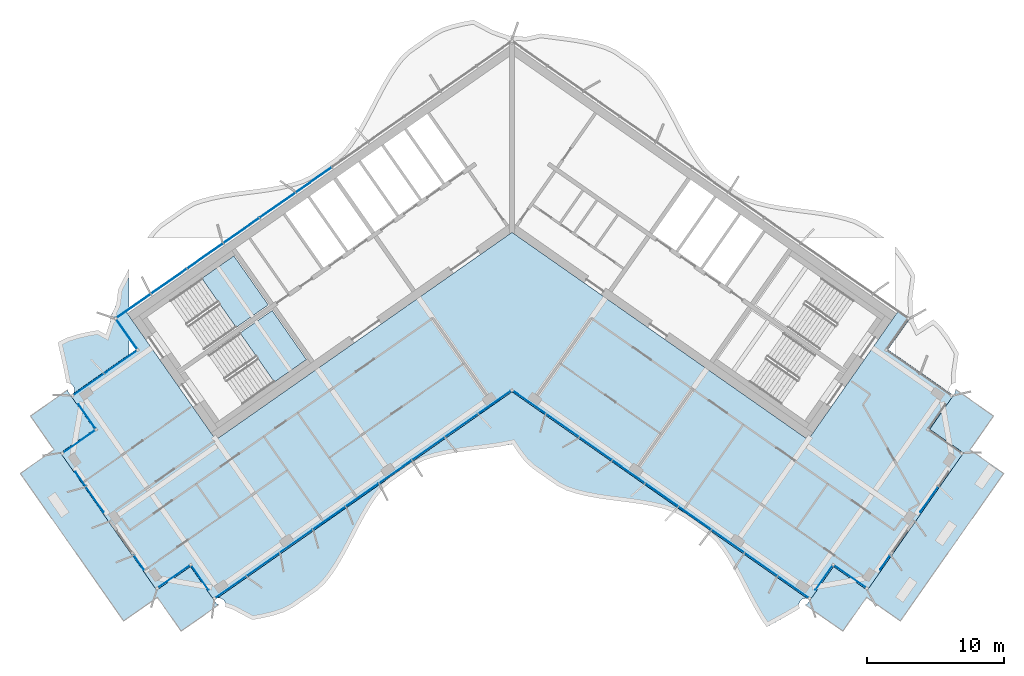
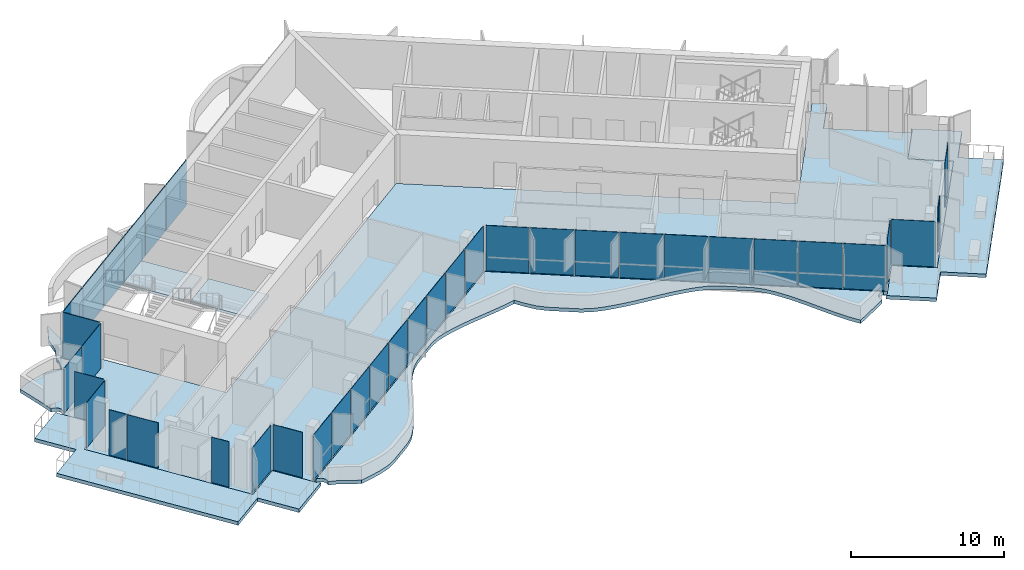
# One storey, part 9 of 21: 38 plates, 7 slabs, 6 elements without a shape of their own.
"""IFC4 building model written with IfcOpenShell, lengths in metres."""

from ifc_helpers import new_model, si_unit, direction, frame, origin, origin_2d, place, context, subcontext, project, spatial, polyline, rectangle, outline, extrude, material, layer, layer_set, type_object, element, aggregate, save


model = new_model("IFC4")

# Units and contexts
model_context = context("Model", 3, precision=1e-05, world=origin(), true_north=direction((0.0, 1.0)))
body_context = subcontext(model_context, "Body", "Model", "MODEL_VIEW")
ifc_project = project(units=[si_unit("LENGTHUNIT", "METRE"), si_unit("AREAUNIT", "SQUARE_METRE"), si_unit("VOLUMEUNIT", "CUBIC_METRE"), si_unit("PLANEANGLEUNIT", "RADIAN"), si_unit("MASSUNIT", "GRAM", prefix="KILO")], contexts=[model_context])

# Site, building, storey
site_placement = place(None, origin())
site = spatial("IfcSite", under=ifc_project, at=site_placement, CompositionType="ELEMENT")
building_placement = place(site_placement, origin())
building = spatial("IfcBuilding", under=site, at=building_placement, Name="Tel Ilan Convention Tower", CompositionType="ELEMENT")
storey_placement = place(building_placement, frame((0.0, 0.0, 225.39990234375)))
storey = spatial("IfcBuildingStorey", under=building, at=storey_placement, Name="L52", CompositionType="ELEMENT", Elevation=225.39990234375)

# Curtain wall, plates
ifc_material_1 = material(Name="Aluminium, bronze anodised", Category="aluminium")
curtain_wall_type_1 = type_object("IfcCurtainWallType", Name="CW2 STICK CURTAIN WALL, SPANDREL PANELS", PredefinedType="NOTDEFINED", material=ifc_material_1)
curtain_wall_1_placement = place(storey_placement, origin())
curtain_wall_1 = element("IfcCurtainWall", 1, at=curtain_wall_1_placement, inside=storey, type_object=curtain_wall_type_1, Name="Curtain wall CW2-41.03", PredefinedType="NOTDEFINED")
ifc_material_2 = material(Name="Aluminium composite panel, bronze anodised", Category="aluminium")
ifc_layer_1 = layer(ifc_material_2, 0.06005859375)
ifc_layer_set_1 = layer_set([ifc_layer_1], Name="CW SPANDREL PANEL 60")
plate_type_1 = type_object("IfcPlateType", Name="CW SPANDREL PANEL 60", PredefinedType="CURTAIN_PANEL", material=ifc_layer_set_1)
plate_1_placement = place(storey_placement, frame((-14.422119140625, 2.59765625, 0.0), z_axis=(0.0, 0.0, 1.0), x_axis=(-0.819152044289, -0.573576436351, 0.0)))
plate_1 = element("IfcPlate", 2, at=plate_1_placement, type_object=plate_type_1, Name="Spandrel panel", PredefinedType="CURTAIN_PANEL", context=body_context, shape_type="SweptSolid", body=[
    extrude(rectangle(XDim=3.15380859375, YDim=0.06005859375, at=origin_2d()), origin(), (0.0, 0.0, 1.0), 3.6201171875),
])
plate_2_placement = place(storey_placement, frame((-17.0546875, 0.754150390625, 0.0), z_axis=(0.0, 0.0, 1.0), x_axis=(-0.819152044289, -0.573576436351, 0.0)))
plate_2 = element("IfcPlate", 3, at=plate_2_placement, type_object=plate_type_1, Name="Spandrel panel", PredefinedType="CURTAIN_PANEL", context=body_context, shape_type="SweptSolid", body=[
    extrude(rectangle(XDim=3.15380859375, YDim=0.06005859375, at=origin_2d()), origin(), (0.0, 0.0, 1.0), 3.6201171875),
])
plate_3_placement = place(storey_placement, frame((-19.687255859375, -1.089111328125, 0.0), z_axis=(0.0, 0.0, 1.0), x_axis=(-0.819152044289, -0.573576436351, 0.0)))
plate_3 = element("IfcPlate", 4, at=plate_3_placement, type_object=plate_type_1, Name="Spandrel panel", PredefinedType="CURTAIN_PANEL", context=body_context, shape_type="SweptSolid", body=[
    extrude(rectangle(XDim=3.15380859375, YDim=0.06005859375, at=origin_2d()), origin(), (0.0, 0.0, 1.0), 3.6201171875),
])
plate_4_placement = place(storey_placement, frame((-22.31982421875, -2.9326171875, 0.0), z_axis=(0.0, 0.0, 1.0), x_axis=(-0.819152044289, -0.573576436351, 0.0)))
plate_4 = element("IfcPlate", 5, at=plate_4_placement, type_object=plate_type_1, Name="Spandrel panel", PredefinedType="CURTAIN_PANEL", context=body_context, shape_type="SweptSolid", body=[
    extrude(rectangle(XDim=3.15380859375, YDim=0.06005859375, at=origin_2d()), origin(), (0.0, 0.0, 1.0), 3.6201171875),
])
plate_5_placement = place(storey_placement, frame((-24.95263671875, -4.77587890625, 0.0), z_axis=(0.0, 0.0, 1.0), x_axis=(-0.819152044289, -0.573576436351, 0.0)))
plate_5 = element("IfcPlate", 6, at=plate_5_placement, type_object=plate_type_1, Name="Spandrel panel", PredefinedType="CURTAIN_PANEL", context=body_context, shape_type="SweptSolid", body=[
    extrude(rectangle(XDim=3.15380859375, YDim=0.06005859375, at=origin_2d()), origin(), (0.0, 0.0, 1.0), 3.6201171875),
])
plate_6_placement = place(storey_placement, frame((-27.5400390625, -6.587646484375, 0.0), z_axis=(0.0, 0.0, 1.0), x_axis=(-0.819152044289, -0.573576436351, 0.0)))
plate_6 = element("IfcPlate", 7, at=plate_6_placement, type_object=plate_type_1, Name="Spandrel panel", PredefinedType="CURTAIN_PANEL", context=body_context, shape_type="SweptSolid", body=[
    extrude(rectangle(XDim=3.0439453125, YDim=0.06005859375, at=origin_2d()), origin(), (0.0, 0.0, 1.0), 3.6201171875),
])
plate_7_placement = place(storey_placement, frame((-28.033935546875, -8.60546875, 0.0), z_axis=(0.0, 0.0, 1.0), x_axis=(0.573576436351, -0.819152044289, 0.0)))
plate_7 = element("IfcPlate", 8, at=plate_7_placement, type_object=plate_type_1, Name="Spandrel panel", PredefinedType="CURTAIN_PANEL", context=body_context, shape_type="SweptSolid", body=[
    extrude(rectangle(XDim=2.658935546875, YDim=0.06005859375, at=origin_2d()), origin(), (0.0, 0.0, 1.0), 3.6201171875),
])
aggregate(curtain_wall_1, [plate_1, plate_2, plate_3, plate_4, plate_5, plate_6, plate_7])

# Curtain wall, plate
ifc_material_3 = material(Name="Aluminium, bronze anodised", Category="aluminium")
curtain_wall_type_2 = type_object("IfcCurtainWallType", Name="CW5 STICK CURTAIN WALL, UPPER OFFICE LOW-IRON TINTED GLASS", PredefinedType="NOTDEFINED", material=ifc_material_3)
curtain_wall_2_placement = place(storey_placement, origin())
curtain_wall_2 = element("IfcCurtainWall", 9, at=curtain_wall_2_placement, inside=storey, type_object=curtain_wall_type_2, Name="Curtain wall CW5-41.02", PredefinedType="NOTDEFINED")
ifc_material_4 = material(Name="Glass, low-iron bronze tinted, two-ply", Category="glass")
ifc_layer_2 = layer(ifc_material_4, 0.031982421875)
ifc_layer_set_2 = layer_set([ifc_layer_2], Name="CW UPPER GLASS PANEL 32")
plate_type_2 = type_object("IfcPlateType", Name="CW UPPER GLASS PANEL 32", PredefinedType="CURTAIN_PANEL", material=ifc_layer_set_2)
plate_8_placement = place(storey_placement, frame((30.3486328125, -20.642333984375, 0.0), z_axis=(0.0, 0.0, 1.0), x_axis=(0.573576436351, 0.819152044289, 0.0)))
plate_8 = element("IfcPlate", 10, at=plate_8_placement, type_object=plate_type_2, Name="Glass panel", PredefinedType="CURTAIN_PANEL", context=body_context, shape_type="SweptSolid", body=[
    extrude(rectangle(XDim=2.243896484375, YDim=0.028076171875, at=origin_2d()), origin(), (0.0, 0.0, 1.0), 3.6201171875),
])
aggregate(curtain_wall_2, [plate_8])

# Curtain wall, plates
curtain_wall_3_placement = place(storey_placement, origin())
curtain_wall_3 = element("IfcCurtainWall", 11, at=curtain_wall_3_placement, inside=storey, type_object=curtain_wall_type_2, Name="Curtain wall CW5-41.04", PredefinedType="NOTDEFINED")
plate_9_placement = place(storey_placement, frame((-28.471435546875, -10.657958984375, 0.0), z_axis=(0.0, 0.0, 1.0), x_axis=(-0.819152044289, -0.573576436351, 0.0)))
plate_9 = element("IfcPlate", 12, at=plate_9_placement, type_object=plate_type_2, Name="Glass panel", PredefinedType="CURTAIN_PANEL", context=body_context, shape_type="SweptSolid", body=[
    extrude(rectangle(XDim=2.868896484375, YDim=0.028076171875, at=origin_2d()), origin(), (0.0, 0.0, 1.0), 3.6201171875),
])
plate_10_placement = place(storey_placement, frame((-30.8203125, -12.302734375, 0.0), z_axis=(0.0, 0.0, 1.0), x_axis=(-0.819152044289, -0.573576436351, 0.0)))
plate_10 = element("IfcPlate", 13, at=plate_10_placement, type_object=plate_type_2, Name="Glass panel", PredefinedType="CURTAIN_PANEL", context=body_context, shape_type="SweptSolid", body=[
    extrude(rectangle(XDim=2.74609375, YDim=0.028076171875, at=origin_2d()), origin(), (0.0, 0.0, 1.0), 3.6201171875),
])
plate_11_placement = place(storey_placement, frame((-30.91064453125, -14.609130859375, 0.0), z_axis=(0.0, 0.0, 1.0), x_axis=(0.573576436351, -0.819152044289, 0.0)))
plate_11 = element("IfcPlate", 14, at=plate_11_placement, type_object=plate_type_2, Name="Glass panel", PredefinedType="CURTAIN_PANEL", context=body_context, shape_type="SweptSolid", body=[
    extrude(rectangle(XDim=2.123046875, YDim=0.028076171875, at=origin_2d()), origin(), (0.0, 0.0, 1.0), 3.6201171875),
])
plate_12_placement = place(storey_placement, frame((-31.504150390625, -16.44384765625, 0.0), z_axis=(0.0, 0.0, 1.0), x_axis=(-0.819152044289, -0.573576436351, 0.0)))
plate_12 = element("IfcPlate", 15, at=plate_12_placement, type_object=plate_type_2, Name="Glass panel", PredefinedType="CURTAIN_PANEL", context=body_context, shape_type="SweptSolid", body=[
    extrude(rectangle(XDim=2.875, YDim=0.028076171875, at=origin_2d()), origin(), (0.0, 0.0, 1.0), 3.6201171875),
])
plate_13_placement = place(storey_placement, frame((-31.38330078125, -19.16455078125, 0.0), z_axis=(0.0, 0.0, 1.0), x_axis=(0.573576436351, -0.819152044289, 0.0)))
plate_13 = element("IfcPlate", 16, at=plate_13_placement, type_object=plate_type_2, Name="Glass panel", PredefinedType="CURTAIN_PANEL", context=body_context, shape_type="SweptSolid", body=[
    extrude(rectangle(XDim=1.243896484375, YDim=0.028076171875, at=origin_2d()), origin(), (0.0, 0.0, 1.0), 3.6201171875),
])
plate_14_placement = place(storey_placement, frame((-30.3486328125, -20.642333984375, 0.0), z_axis=(0.0, 0.0, 1.0), x_axis=(0.573576436351, -0.819152044289, 0.0)))
plate_14 = element("IfcPlate", 17, at=plate_14_placement, type_object=plate_type_2, Name="Glass panel", PredefinedType="CURTAIN_PANEL", context=body_context, shape_type="SweptSolid", body=[
    extrude(rectangle(XDim=2.243896484375, YDim=0.028076171875, at=origin_2d()), origin(), (0.0, 0.0, 1.0), 3.6201171875),
])
aggregate(curtain_wall_3, [plate_9, plate_10, plate_11, plate_12, plate_13, plate_14])

curtain_wall_4_placement = place(storey_placement, origin())
curtain_wall_4 = element("IfcCurtainWall", 18, at=curtain_wall_4_placement, inside=storey, type_object=curtain_wall_type_2, Name="Curtain wall CW5-41.06", PredefinedType="NOTDEFINED")
plate_15_placement = place(storey_placement, frame((-27.136474609375, -25.2294921875, 0.0), z_axis=(0.0, 0.0, 1.0), x_axis=(0.573576436351, -0.819152044289, 0.0)))
plate_15 = element("IfcPlate", 19, at=plate_15_placement, type_object=plate_type_2, Name="Glass panel", PredefinedType="CURTAIN_PANEL", context=body_context, shape_type="SweptSolid", body=[
    extrude(rectangle(XDim=1.243896484375, YDim=0.028076171875, at=origin_2d()), origin(), (0.0, 0.0, 1.0), 3.6201171875),
])
plate_16_placement = place(storey_placement, frame((-24.621337890625, -26.273681640625, 0.0), z_axis=(0.0, 0.0, 1.0), x_axis=(0.819152044289, 0.573576436351, 0.0)))
plate_16 = element("IfcPlate", 20, at=plate_16_placement, type_object=plate_type_2, Name="Glass panel", PredefinedType="CURTAIN_PANEL", context=body_context, shape_type="SweptSolid", body=[
    extrude(rectangle(XDim=2.875, YDim=0.028076171875, at=origin_2d()), origin(), (0.0, 0.0, 1.0), 3.6201171875),
])
plate_17_placement = place(storey_placement, frame((-22.694091796875, -26.343505859375, 0.0), z_axis=(0.0, 0.0, 1.0), x_axis=(0.573576436351, -0.819152044289, 0.0)))
plate_17 = element("IfcPlate", 21, at=plate_17_placement, type_object=plate_type_2, Name="Glass panel", PredefinedType="CURTAIN_PANEL", context=body_context, shape_type="SweptSolid", body=[
    extrude(rectangle(XDim=2.123046875, YDim=0.028076171875, at=origin_2d()), origin(), (0.0, 0.0, 1.0), 3.6201171875),
])
plate_18_placement = place(storey_placement, frame((-20.47998046875, -27.036376953125, 0.0), z_axis=(0.0, 0.0, 1.0), x_axis=(0.819152044289, 0.573576436351, 0.0)))
plate_18 = element("IfcPlate", 22, at=plate_18_placement, type_object=plate_type_2, Name="Glass panel", PredefinedType="CURTAIN_PANEL", context=body_context, shape_type="SweptSolid", body=[
    extrude(rectangle(XDim=2.78466796875, YDim=0.028076171875, at=origin_2d()), origin(), (0.0, 0.0, 1.0), 3.6201171875),
])
plate_19_placement = place(storey_placement, frame((-18.111328125, -25.377685546875, 0.0), z_axis=(0.0, 0.0, 1.0), x_axis=(0.819152044289, 0.573576436351, 0.0)))
plate_19 = element("IfcPlate", 23, at=plate_19_placement, type_object=plate_type_2, Name="Glass panel", PredefinedType="CURTAIN_PANEL", context=body_context, shape_type="SweptSolid", body=[
    extrude(rectangle(XDim=2.878662109375, YDim=0.028076171875, at=origin_2d()), origin(), (0.0, 0.0, 1.0), 3.6201171875),
])
plate_20_placement = place(storey_placement, frame((-15.7041015625, -23.692138671875, 0.0), z_axis=(0.0, 0.0, 1.0), x_axis=(0.819152044289, 0.573576436351, 0.0)))
plate_20 = element("IfcPlate", 24, at=plate_20_placement, type_object=plate_type_2, Name="Glass panel", PredefinedType="CURTAIN_PANEL", context=body_context, shape_type="SweptSolid", body=[
    extrude(rectangle(XDim=2.878662109375, YDim=0.028076171875, at=origin_2d()), origin(), (0.0, 0.0, 1.0), 3.6201171875),
])
plate_21_placement = place(storey_placement, frame((-13.296875, -22.006591796875, 0.0), z_axis=(0.0, 0.0, 1.0), x_axis=(0.819152044289, 0.573576436351, 0.0)))
plate_21 = element("IfcPlate", 25, at=plate_21_placement, type_object=plate_type_2, Name="Glass panel", PredefinedType="CURTAIN_PANEL", context=body_context, shape_type="SweptSolid", body=[
    extrude(rectangle(XDim=2.878662109375, YDim=0.028076171875, at=origin_2d()), origin(), (0.0, 0.0, 1.0), 3.6201171875),
])
plate_22_placement = place(storey_placement, frame((-10.8896484375, -20.321044921875, 0.0), z_axis=(0.0, 0.0, 1.0), x_axis=(0.819152044289, 0.573576436351, 0.0)))
plate_22 = element("IfcPlate", 26, at=plate_22_placement, type_object=plate_type_2, Name="Glass panel", PredefinedType="CURTAIN_PANEL", context=body_context, shape_type="SweptSolid", body=[
    extrude(rectangle(XDim=2.878662109375, YDim=0.028076171875, at=origin_2d()), origin(), (0.0, 0.0, 1.0), 3.6201171875),
])
plate_23_placement = place(storey_placement, frame((-8.482666015625, -18.635498046875, 0.0), z_axis=(0.0, 0.0, 1.0), x_axis=(0.819152044289, 0.573576436351, 0.0)))
plate_23 = element("IfcPlate", 27, at=plate_23_placement, type_object=plate_type_2, Name="Glass panel", PredefinedType="CURTAIN_PANEL", context=body_context, shape_type="SweptSolid", body=[
    extrude(rectangle(XDim=2.878662109375, YDim=0.028076171875, at=origin_2d()), origin(), (0.0, 0.0, 1.0), 3.6201171875),
])
plate_24_placement = place(storey_placement, frame((-6.075439453125, -16.949951171875, 0.0), z_axis=(0.0, 0.0, 1.0), x_axis=(0.819152044289, 0.573576436351, 0.0)))
plate_24 = element("IfcPlate", 28, at=plate_24_placement, type_object=plate_type_2, Name="Glass panel", PredefinedType="CURTAIN_PANEL", context=body_context, shape_type="SweptSolid", body=[
    extrude(rectangle(XDim=2.878662109375, YDim=0.028076171875, at=origin_2d()), origin(), (0.0, 0.0, 1.0), 3.6201171875),
])
plate_25_placement = place(storey_placement, frame((-3.668212890625, -15.264404296875, 0.0), z_axis=(0.0, 0.0, 1.0), x_axis=(0.819152044289, 0.573576436351, 0.0)))
plate_25 = element("IfcPlate", 29, at=plate_25_placement, type_object=plate_type_2, Name="Glass panel", PredefinedType="CURTAIN_PANEL", context=body_context, shape_type="SweptSolid", body=[
    extrude(rectangle(XDim=2.878662109375, YDim=0.028076171875, at=origin_2d()), origin(), (0.0, 0.0, 1.0), 3.6201171875),
])
plate_26_placement = place(storey_placement, frame((-1.261474609375, -13.579345703125, 0.0), z_axis=(0.0, 0.0, 1.0), x_axis=(0.819152044289, 0.573576436351, 0.0)))
plate_26 = element("IfcPlate", 30, at=plate_26_placement, type_object=plate_type_2, Name="Glass panel", PredefinedType="CURTAIN_PANEL", context=body_context, shape_type="SweptSolid", body=[
    extrude(rectangle(XDim=2.877685546875, YDim=0.028076171875, at=origin_2d()), origin(), (0.0, 0.0, 1.0), 3.6201171875),
])
plate_27_placement = place(storey_placement, frame((1.27294921875, -13.58740234375, 0.0), z_axis=(0.0, 0.0, 1.0), x_axis=(0.819152044289, -0.573576436351, 0.0)))
plate_27 = element("IfcPlate", 31, at=plate_27_placement, type_object=plate_type_2, Name="Glass panel", PredefinedType="CURTAIN_PANEL", context=body_context, shape_type="SweptSolid", body=[
    extrude(rectangle(XDim=2.849609375, YDim=0.028076171875, at=origin_2d()), origin(), (0.0, 0.0, 1.0), 3.6201171875),
])
plate_28_placement = place(storey_placement, frame((3.668212890625, -15.264404296875, 0.0), z_axis=(0.0, 0.0, 1.0), x_axis=(0.819152044289, -0.573576436351, 0.0)))
plate_28 = element("IfcPlate", 32, at=plate_28_placement, type_object=plate_type_2, Name="Glass panel", PredefinedType="CURTAIN_PANEL", context=body_context, shape_type="SweptSolid", body=[
    extrude(rectangle(XDim=2.878662109375, YDim=0.028076171875, at=origin_2d()), origin(), (0.0, 0.0, 1.0), 3.6201171875),
])
plate_29_placement = place(storey_placement, frame((6.075439453125, -16.949951171875, 0.0), z_axis=(0.0, 0.0, 1.0), x_axis=(0.819152044289, -0.573576436351, 0.0)))
plate_29 = element("IfcPlate", 33, at=plate_29_placement, type_object=plate_type_2, Name="Glass panel", PredefinedType="CURTAIN_PANEL", context=body_context, shape_type="SweptSolid", body=[
    extrude(rectangle(XDim=2.878662109375, YDim=0.028076171875, at=origin_2d()), origin(), (0.0, 0.0, 1.0), 3.6201171875),
])
plate_30_placement = place(storey_placement, frame((8.482666015625, -18.635498046875, 0.0), z_axis=(0.0, 0.0, 1.0), x_axis=(0.819152044289, -0.573576436351, 0.0)))
plate_30 = element("IfcPlate", 34, at=plate_30_placement, type_object=plate_type_2, Name="Glass panel", PredefinedType="CURTAIN_PANEL", context=body_context, shape_type="SweptSolid", body=[
    extrude(rectangle(XDim=2.878662109375, YDim=0.028076171875, at=origin_2d()), origin(), (0.0, 0.0, 1.0), 3.6201171875),
])
plate_31_placement = place(storey_placement, frame((10.8896484375, -20.321044921875, 0.0), z_axis=(0.0, 0.0, 1.0), x_axis=(0.819152044289, -0.573576436351, 0.0)))
plate_31 = element("IfcPlate", 35, at=plate_31_placement, type_object=plate_type_2, Name="Glass panel", PredefinedType="CURTAIN_PANEL", context=body_context, shape_type="SweptSolid", body=[
    extrude(rectangle(XDim=2.878662109375, YDim=0.028076171875, at=origin_2d()), origin(), (0.0, 0.0, 1.0), 3.6201171875),
])
plate_32_placement = place(storey_placement, frame((13.296875, -22.006591796875, 0.0), z_axis=(0.0, 0.0, 1.0), x_axis=(0.819152044289, -0.573576436351, 0.0)))
plate_32 = element("IfcPlate", 36, at=plate_32_placement, type_object=plate_type_2, Name="Glass panel", PredefinedType="CURTAIN_PANEL", context=body_context, shape_type="SweptSolid", body=[
    extrude(rectangle(XDim=2.878662109375, YDim=0.028076171875, at=origin_2d()), origin(), (0.0, 0.0, 1.0), 3.6201171875),
])
plate_33_placement = place(storey_placement, frame((15.7041015625, -23.692138671875, 0.0), z_axis=(0.0, 0.0, 1.0), x_axis=(0.819152044289, -0.573576436351, 0.0)))
plate_33 = element("IfcPlate", 37, at=plate_33_placement, type_object=plate_type_2, Name="Glass panel", PredefinedType="CURTAIN_PANEL", context=body_context, shape_type="SweptSolid", body=[
    extrude(rectangle(XDim=2.878662109375, YDim=0.028076171875, at=origin_2d()), origin(), (0.0, 0.0, 1.0), 3.6201171875),
])
plate_34_placement = place(storey_placement, frame((18.111328125, -25.377685546875, 0.0), z_axis=(0.0, 0.0, 1.0), x_axis=(0.819152044289, -0.573576436351, 0.0)))
plate_34 = element("IfcPlate", 38, at=plate_34_placement, type_object=plate_type_2, Name="Glass panel", PredefinedType="CURTAIN_PANEL", context=body_context, shape_type="SweptSolid", body=[
    extrude(rectangle(XDim=2.878662109375, YDim=0.028076171875, at=origin_2d()), origin(), (0.0, 0.0, 1.0), 3.6201171875),
])
plate_35_placement = place(storey_placement, frame((20.47998046875, -27.036376953125, 0.0), z_axis=(0.0, 0.0, 1.0), x_axis=(0.819152044289, -0.573576436351, 0.0)))
plate_35 = element("IfcPlate", 39, at=plate_35_placement, type_object=plate_type_2, Name="Glass panel", PredefinedType="CURTAIN_PANEL", context=body_context, shape_type="SweptSolid", body=[
    extrude(rectangle(XDim=2.78466796875, YDim=0.028076171875, at=origin_2d()), origin(), (0.0, 0.0, 1.0), 3.6201171875),
])
plate_36_placement = place(storey_placement, frame((22.694091796875, -26.343505859375, 0.0), z_axis=(0.0, 0.0, 1.0), x_axis=(0.573576436351, 0.819152044289, 0.0)))
plate_36 = element("IfcPlate", 40, at=plate_36_placement, type_object=plate_type_2, Name="Glass panel", PredefinedType="CURTAIN_PANEL", context=body_context, shape_type="SweptSolid", body=[
    extrude(rectangle(XDim=2.123046875, YDim=0.028076171875, at=origin_2d()), origin(), (0.0, 0.0, 1.0), 3.6201171875),
])
plate_37_placement = place(storey_placement, frame((24.621337890625, -26.273681640625, 0.0), z_axis=(0.0, 0.0, 1.0), x_axis=(0.819152044289, -0.573576436351, 0.0)))
plate_37 = element("IfcPlate", 41, at=plate_37_placement, type_object=plate_type_2, Name="Glass panel", PredefinedType="CURTAIN_PANEL", context=body_context, shape_type="SweptSolid", body=[
    extrude(rectangle(XDim=2.875, YDim=0.028076171875, at=origin_2d()), origin(), (0.0, 0.0, 1.0), 3.6201171875),
])
plate_38_placement = place(storey_placement, frame((27.136474609375, -25.2294921875, 0.0), z_axis=(0.0, 0.0, 1.0), x_axis=(0.573576436351, 0.819152044289, 0.0)))
plate_38 = element("IfcPlate", 42, at=plate_38_placement, type_object=plate_type_2, Name="Glass panel", PredefinedType="CURTAIN_PANEL", context=body_context, shape_type="SweptSolid", body=[
    extrude(rectangle(XDim=1.243896484375, YDim=0.028076171875, at=origin_2d()), origin(), (0.0, 0.0, 1.0), 3.6201171875),
])
aggregate(curtain_wall_4, [plate_15, plate_16, plate_17, plate_18, plate_19, plate_20, plate_21, plate_22, plate_23, plate_24, plate_25, plate_26, plate_27, plate_28, plate_29, plate_30, plate_31, plate_32, plate_33, plate_34, plate_35, plate_36, plate_37, plate_38])

# Stair, slab
ifc_material_5 = material(Name="Concrete C40/50", Category="concrete")
stair_type = type_object("IfcStairType", Name="Pressurised Exit Stair 22 risers 177 mm", PredefinedType="HALF_TURN_STAIR", material=ifc_material_5)
stair_1_placement = place(storey_placement, origin())
stair_1 = element("IfcStair", 43, at=stair_1_placement, inside=storey, type_object=stair_type, Name="L52 Pressurised Stair S1", PredefinedType="HALF_TURN_STAIR")
ifc_material_6 = material(Name="Concrete C40/50", Category="concrete")
ifc_layer_3 = layer(ifc_material_6, 0.199951171875)
ifc_layer_set_3 = layer_set([ifc_layer_3], Name="Concrete Stair Landing 200 mm C40/50")
slab_type_1 = type_object("IfcSlabType", Name="Concrete Stair Landing 200 mm", PredefinedType="LANDING", material=ifc_layer_set_3)
slab_1_placement = place(storey_placement, frame((0.0, 0.0, 1.75)))
slab_1 = element("IfcSlab", 44, at=slab_1_placement, type_object=slab_type_1, Name="S1 landing 1", PredefinedType="LANDING", context=body_context, shape_type="SweptSolid", body=[
    extrude(outline(polyline([(-20.066650390625, -8.130126953125), (-17.7314453125, -6.494873046875), (-20.226318359375, -2.931640625), (-22.561767578125, -4.566650390625), (-20.066650390625, -8.130126953125)])), origin(), (0.0, 0.0, 1.0), 0.2001953125),
])
aggregate(stair_1, [slab_1])

stair_2_placement = place(storey_placement, origin())
stair_2 = element("IfcStair", 45, at=stair_2_placement, inside=storey, type_object=stair_type, Name="L52 Pressurised Stair S2", PredefinedType="HALF_TURN_STAIR")
slab_2_placement = place(storey_placement, frame((0.0, 0.0, 1.75)))
slab_2 = element("IfcSlab", 46, at=slab_2_placement, type_object=slab_type_1, Name="S2 landing 1", PredefinedType="LANDING", context=body_context, shape_type="SweptSolid", body=[
    extrude(outline(polyline([(-17.28466796875, -12.10302734375), (-14.949462890625, -10.4677734375), (-17.444580078125, -6.904541015625), (-19.77978515625, -8.53955078125), (-17.28466796875, -12.10302734375)])), origin(), (0.0, 0.0, 1.0), 0.2001953125),
])
aggregate(stair_2, [slab_2])

# Slabs
ifc_material_7 = material(Name="Concrete C40/50", Category="concrete")
ifc_layer_4 = layer(ifc_material_7, 0.280029296875)
ifc_layer_set_4 = layer_set([ifc_layer_4], Name="Edge Ledge Slab 280 mm C40/50")
slab_type_2 = type_object("IfcSlabType", Name="Edge Ledge Slab 280 mm C40/50", PredefinedType="FLOOR", material=ifc_layer_set_4)
slab_3_placement = place(storey_placement, frame((0.0, 0.0, -0.27978515625)))
element("IfcSlab", 47, at=slab_3_placement, inside=storey, type_object=slab_type_2, Name="L52 edge ledge 2", PredefinedType="FLOOR", context=body_context, shape_type="SweptSolid", body=[
    extrude(outline(polyline([(21.330322265625, -27.831298828125), (21.28173828125, -27.83740234375), (21.23388671875, -27.848388671875), (21.187255859375, -27.864013671875), (21.142578125, -27.8837890625), (21.099853515625, -27.908203125), (21.059814453125, -27.9365234375), (21.022705078125, -27.96875), (20.989013671875, -28.00439453125), (20.958984375, -28.043212890625), (20.932861328125, -28.084716796875), (20.910888671875, -28.12841796875), (20.893310546875, -28.17431640625), (20.88037109375, -28.2216796875), (20.8720703125, -28.27001953125), (20.86865234375, -28.319091796875), (20.8701171875, -28.367919921875), (20.876220703125, -28.416748046875), (20.886962890625, -28.464599609375), (20.902587890625, -28.510986328125), (20.922607421875, -28.555908203125), (20.927978515625, -28.5654296875), (19.969482421875, -29.128173828125), (18.5185546875, -29.919677734375), (18.077880859375, -29.268310546875), (17.6669921875, -28.573974609375), (17.27587890625, -27.851806640625), (16.894775390625, -27.115234375), (16.51416015625, -26.377685546875), (16.12451171875, -25.653564453125), (15.71630859375, -24.955810546875), (15.28125, -24.29638671875), (14.811767578125, -23.685791015625), (14.27099609375, -23.177001953125), (12.4658203125, -21.9130859375), (11.811767578125, -21.56591796875), (11.080810546875, -21.329345703125), (10.314697265625, -21.142333984375), (9.521240234375, -20.99462890625), (8.70849609375, -20.87451171875), (7.885986328125, -20.7685546875), (7.06298828125, -20.6630859375), (6.24951171875, -20.5439453125), (5.45458984375, -20.398193359375), (4.68701171875, -20.213623046875), (3.953857421875, -19.979736328125), (3.2939453125, -19.6416015625), (1.488525390625, -18.377197265625), (0.94189453125, -17.877197265625), (0.470458984375, -17.269775390625), (0.03369140625, -16.61279296875), (0.033203125, -16.6123046875), (-0.023681640625, -16.626708984375), (-0.816650390625, -16.775146484375), (-1.62890625, -16.895751953125), (-2.45166015625, -17.001953125), (-3.274658203125, -17.107421875), (-4.08837890625, -17.225830078125), (-4.8837890625, -17.370849609375), (-5.65234375, -17.55419921875), (-6.386474609375, -17.78662109375), (-7.049560546875, -18.12060546875), (-8.85498046875, -19.384521484375), (-9.404541015625, -19.880615234375), (-9.877197265625, -20.486572265625), (-10.314697265625, -21.142333984375), (-10.724853515625, -21.83740234375), (-11.11572265625, -22.56005859375), (-11.49658203125, -23.296875), (-11.877197265625, -24.0341796875), (-12.267333984375, -24.7578125), (-12.67626953125, -25.454833984375), (-13.1123046875, -26.113037109375), (-13.582763671875, -26.721923828125), (-14.12646484375, -27.226318359375), (-15.931884765625, -28.490478515625), (-16.588623046875, -28.833251953125), (-17.32080078125, -29.068603515625), (-18.08740234375, -29.25439453125), (-18.88330078125, -29.3984375), (-20.311279296875, -28.64013671875), (-20.85888671875, -28.451904296875), (-20.856201171875, -28.44287109375), (-20.84521484375, -28.39501953125), (-20.839111328125, -28.346435546875), (-20.837646484375, -28.29736328125), (-20.84130859375, -28.248291015625), (-20.849609375, -28.199951171875), (-20.8623046875, -28.152587890625), (-20.8798828125, -28.10693359375), (-20.90185546875, -28.06298828125), (-20.927978515625, -28.021484375), (-20.9580078125, -27.982666015625), (-20.991943359375, -27.947021484375), (-21.02880859375, -27.914794921875), (-21.069091796875, -27.886474609375), (-21.111572265625, -27.8623046875), (-21.156494140625, -27.84228515625), (-21.202880859375, -27.82666015625), (-21.250732421875, -27.81591796875), (-21.299560546875, -27.809814453125), (-21.348388671875, -27.808349609375), (-21.4150390625, -27.81298828125), (0.0, -12.818115234375), (21.44580078125, -27.834716796875), (21.37939453125, -27.830078125), (21.330322265625, -27.831298828125)])), origin(), (0.0, 0.0, 1.0), 0.27978515625),
])
slab_4_placement = place(storey_placement, frame((0.0, 0.0, -0.27978515625)))
element("IfcSlab", 48, at=slab_4_placement, inside=storey, type_object=slab_type_2, Name="L52 edge ledge 4", PredefinedType="FLOOR", context=body_context, shape_type="SweptSolid", body=[
    extrude(outline(polyline([(-29.537353515625, -8.652587890625), (-29.20458984375, -7.631103515625), (-29.199951171875, -7.6279296875), (-29.236083984375, -7.57373046875), (-29.2587890625, -7.458984375), (-29.236083984375, -7.34423828125), (-29.1708984375, -7.246826171875), (-29.127685546875, -7.218017578125), (-29.130859375, -7.21337890625), (-28.772216796875, -6.441650390625), (-28.635009765625, -5.353515625), (-28.252685546875, -4.614990234375), (-27.875, -3.881103515625), (-27.875, -6.7001953125), (-28.958740234375, -7.458984375), (-27.875, -9.007080078125), (-27.875, -10.1181640625), (-31.885986328125, -12.9267578125), (-31.85888671875, -12.865966796875), (-31.84326171875, -12.8193359375), (-31.83251953125, -12.771484375), (-31.826171875, -12.722900390625), (-31.824951171875, -12.673828125), (-31.828369140625, -12.625), (-31.836669921875, -12.576416015625), (-31.849609375, -12.529296875), (-31.8671875, -12.4833984375), (-31.88916015625, -12.439453125), (-31.915283203125, -12.39794921875), (-31.9453125, -12.359130859375), (-31.97900390625, -12.323486328125), (-32.01611328125, -12.29150390625), (-32.05615234375, -12.26318359375), (-32.098876953125, -12.23876953125), (-32.1435546875, -12.21875), (-32.190185546875, -12.203125), (-32.238037109375, -12.1923828125), (-32.28662109375, -12.186279296875), (-32.335693359375, -12.184814453125), (-32.384521484375, -12.188232421875), (-32.39892578125, -12.19091796875), (-32.6083984375, -11.094970703125), (-33.031982421875, -9.225830078125), (-32.382080078125, -8.890380859375), (-31.6572265625, -8.661376953125), (-30.899169921875, -8.47998046875), (-30.110107421875, -8.3427734375), (-29.537353515625, -8.652587890625)])), origin(), (0.0, 0.0, 1.0), 0.27978515625),
])
ifc_material_8 = material(Name="Concrete C40/50", Category="concrete")
ifc_layer_5 = layer(ifc_material_8, 0.280029296875)
ifc_layer_set_5 = layer_set([ifc_layer_5], Name="Flat Plate Floor Slab 280 mm C40/50")
slab_type_3 = type_object("IfcSlabType", Name="Flat Plate Floor Slab 280 mm C40/50", PredefinedType="FLOOR", material=ifc_layer_set_5)
slab_5_placement = place(storey_placement, frame((0.0, 0.0, -0.27978515625)))
element("IfcSlab", 49, at=slab_5_placement, inside=storey, type_object=slab_type_3, Name="L52 floor slab", PredefinedType="FLOOR", context=body_context, shape_type="SweptSolid", body=[
    extrude(outline(polyline([(-23.385498046875, -25.530517578125), (-25.843017578125, -27.251220703125), (-32.840576171875, -17.257568359375), (-30.383056640625, -15.536865234375), (-32.10400390625, -13.079345703125), (-27.352783203125, -9.752685546875), (-28.958740234375, -7.458984375), (-28.1396484375, -6.885498046875), (-21.54345703125, -16.3056640625), (0.0, -1.220703125), (21.54345703125, -16.3056640625), (28.1396484375, -6.885498046875), (28.958740234375, -7.458984375), (27.352783203125, -9.752685546875), (32.10400390625, -13.079345703125), (30.383056640625, -15.536865234375), (32.840576171875, -17.257568359375), (25.843017578125, -27.251220703125), (23.385498046875, -25.530517578125), (21.664794921875, -27.988037109375), (0.0, -12.818115234375), (-21.664794921875, -27.988037109375), (-23.385498046875, -25.530517578125)])), origin(), (0.0, 0.0, 1.0), 0.27978515625),
])
ifc_material_9 = material(Name="Concrete C40/50", Category="concrete")
ifc_layer_6 = layer(ifc_material_9, 0.280029296875)
ifc_layer_set_6 = layer_set([ifc_layer_6], Name="Terrace Deck Slab 280 mm C40/50")
slab_type_4 = type_object("IfcSlabType", Name="Terrace Deck Slab 280 mm C40/50", PredefinedType="FLOOR", material=ifc_layer_set_6)
slab_6_placement = place(storey_placement, frame((0.0, 0.0, -0.27978515625)))
element("IfcSlab", 50, at=slab_6_placement, inside=storey, type_object=slab_type_4, Name="L52 terrace deck 1", PredefinedType="FLOOR", context=body_context, shape_type="SweptSolid", body=[
    extrude(outline(polyline([(24.06884765625, -30.220703125), (21.3505859375, -28.317138671875), (21.49267578125, -28.233642578125), (23.385498046875, -25.530517578125), (25.843017578125, -27.251220703125), (32.840576171875, -17.257568359375), (30.383056640625, -15.536865234375), (32.27587890625, -12.833740234375), (32.271728515625, -12.647705078125), (35.024169921875, -14.574951171875), (33.303466796875, -17.032470703125), (35.760986328125, -18.753173828125), (28.2470703125, -29.48388671875), (25.789794921875, -27.76318359375), (24.06884765625, -30.220703125)])), origin(), (0.0, 0.0, 1.0), 0.27978515625),
])
slab_7_placement = place(storey_placement, frame((0.0, 0.0, -0.27978515625)))
element("IfcSlab", 51, at=slab_7_placement, inside=storey, type_object=slab_type_4, Name="L52 terrace deck 2", PredefinedType="FLOOR", context=body_context, shape_type="SweptSolid", body=[
    extrude(outline(polyline([(-35.760986328125, -18.753173828125), (-33.303466796875, -17.032470703125), (-35.024169921875, -14.574951171875), (-32.306884765625, -12.672119140625), (-32.27587890625, -12.833740234375), (-30.383056640625, -15.536865234375), (-32.840576171875, -17.257568359375), (-25.843017578125, -27.251220703125), (-23.385498046875, -25.530517578125), (-21.49267578125, -28.233642578125), (-21.3173828125, -28.294189453125), (-24.06884765625, -30.220703125), (-25.789794921875, -27.76318359375), (-28.2470703125, -29.48388671875), (-35.760986328125, -18.753173828125)])), origin(), (0.0, 0.0, 1.0), 0.27978515625),
])

save(model, "model.ifc")
